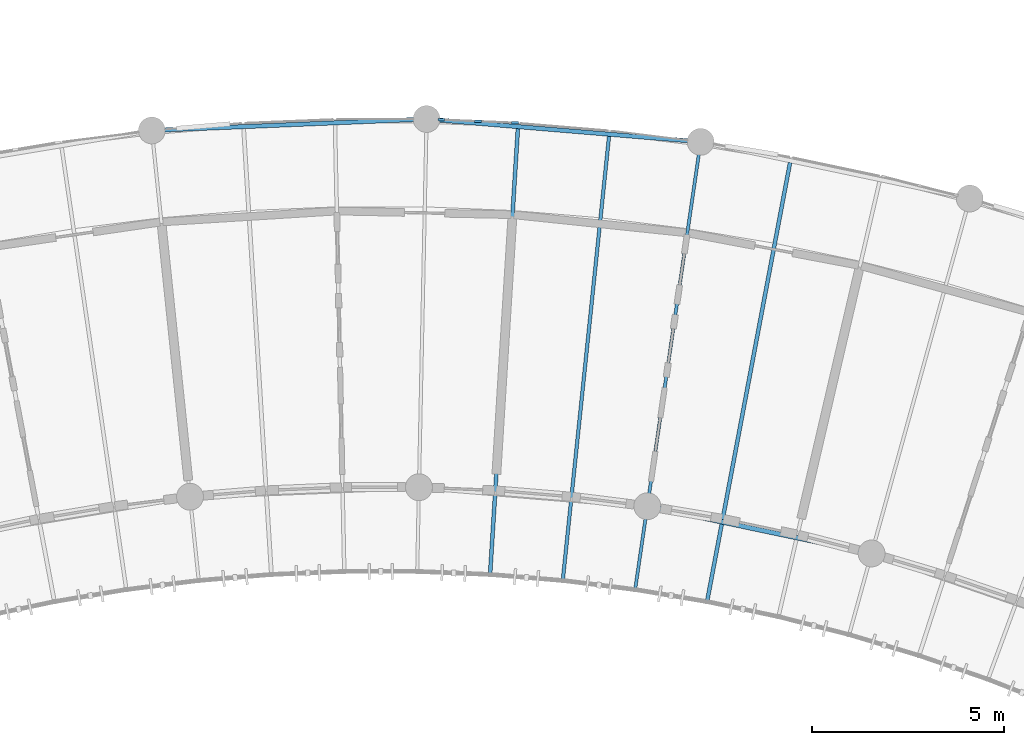
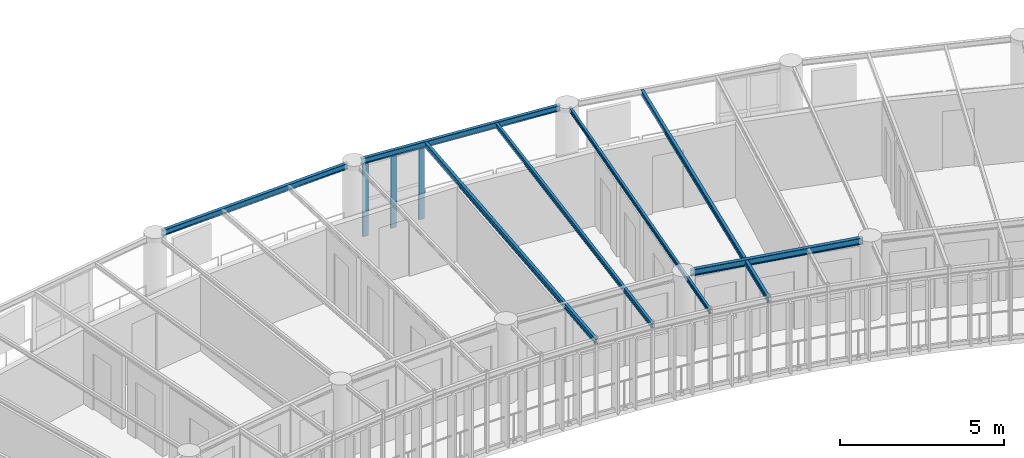
# One storey, part 34 of 100: 7 beams, 3 members, 1 element without a shape of its own.
"""IFC4 building model written with IfcOpenShell, lengths in metres."""

from ifc_helpers import new_model, si_unit, direction, frame, origin, origin_2d, place, context, subcontext, project, spatial, rectangle, i_section, extrude, material, layer, layer_set, material_profile, profile_set, type_object, element, aggregate, save


model = new_model("IFC4")

# Units and contexts
model_context = context("Model", 3, precision=1e-05, world=origin(), true_north=direction((0.0, 1.0)))
body_context = subcontext(model_context, "Body", "Model", "MODEL_VIEW")
ifc_project = project(units=[si_unit("LENGTHUNIT", "METRE"), si_unit("AREAUNIT", "SQUARE_METRE"), si_unit("VOLUMEUNIT", "CUBIC_METRE"), si_unit("PLANEANGLEUNIT", "RADIAN"), si_unit("MASSUNIT", "GRAM", prefix="KILO"), si_unit("POWERUNIT", "WATT"), si_unit("THERMODYNAMICTEMPERATUREUNIT", "KELVIN")], contexts=[model_context])

# Site, building, storey
site_placement = place(None, origin())
site = spatial("IfcSite", under=ifc_project, at=site_placement, CompositionType="ELEMENT")
building_placement = place(site_placement, origin())
building = spatial("IfcBuilding", under=site, at=building_placement, Name="Ruvembo Vaulted Housing Court", CompositionType="ELEMENT")
storey_placement = place(building_placement, frame((0.0, 0.0, 10.89990234375)))
storey = spatial("IfcBuildingStorey", under=building, at=storey_placement, Name="L03", CompositionType="ELEMENT", Elevation=10.89990234375)

# Beams
ifc_material_1 = material(Name="Steel S355J2", Category="steel")
ifc_material_profile_1 = material_profile(ifc_material_1, i_section(OverallWidth=0.08203125, OverallDepth=0.159912109375, WebThickness=0.0048828125, FlangeThickness=0.00732421875, FilletRadius=0.009033203125, at=origin_2d()), Name="IPE 160")
ifc_profile_set_1 = profile_set([ifc_material_profile_1], Name="Steel S355J2")
beam_type_1 = type_object("IfcBeamType", Name="BM-ST-IPE160", PredefinedType="JOIST", material=ifc_profile_set_1)
beam_1_placement = place(storey_placement, frame((125.305908203125, 106.765625, 2.860107421875), z_axis=(-0.144779596982, -0.989463929761, 0.0), x_axis=(0.989463929761, -0.144779596982, 0.0)))
element("IfcBeam", 1, at=beam_1_placement, inside=storey, type_object=beam_type_1, Name="Scoop SC3 L03 Radial Steel Joist 18", PredefinedType="JOIST", context=body_context, shape_type="SweptSolid", body=[
    extrude(i_section(OverallWidth=0.08203125, OverallDepth=0.159912109375, WebThickness=0.0048828125, FlangeThickness=0.00732421875, FilletRadius=0.009033203125, at=origin_2d()), origin(), (0.0, 0.0, 1.0), 11.610107421875),
])
ifc_material_profile_2 = material_profile(ifc_material_1, i_section(OverallWidth=0.091064453125, OverallDepth=0.179931640625, WebThickness=0.00537109375, FlangeThickness=0.008056640625, FilletRadius=0.009033203125, at=origin_2d()), Name="IPE 180")
ifc_profile_set_2 = profile_set([ifc_material_profile_2], Name="Steel S355J2")
beam_type_2 = type_object("IfcBeamType", Name="BM-ST-IPE180", PredefinedType="JOIST", material=ifc_profile_set_2)
beam_2_placement = place(storey_placement, frame((122.951416015625, 107.1416015625, 2.85009765625), z_axis=(-0.103603071439, -0.994618722722, 0.0), x_axis=(0.994618722722, -0.103603071439, 0.0)))
element("IfcBeam", 2, at=beam_2_placement, inside=storey, type_object=beam_type_2, Name="Scoop SC3 L03 Radial Steel Joist 17", PredefinedType="JOIST", context=body_context, shape_type="SweptSolid", body=[
    extrude(i_section(OverallWidth=0.091064453125, OverallDepth=0.179931640625, WebThickness=0.00537109375, FlangeThickness=0.008056640625, FilletRadius=0.009033203125, at=origin_2d()), origin(), (0.0, 0.0, 1.0), 11.690673828125),
])
ifc_material_profile_3 = material_profile(ifc_material_1, i_section(OverallWidth=0.10009765625, OverallDepth=0.199951171875, WebThickness=0.005615234375, FlangeThickness=0.008544921875, FilletRadius=0.011962890625, at=origin_2d()), Name="IPE 200")
ifc_profile_set_3 = profile_set([ifc_material_profile_3], Name="Steel S355J2")
beam_type_3 = type_object("IfcBeamType", Name="BM-ST-IPE200", PredefinedType="BEAM", material=ifc_profile_set_3)
for number, where, z_axis, x_axis, name in (
    (3, (120.574951171875, 107.33935546875, 2.840087890625), (-0.062232670177, -0.998061668817, 0.0), (0.998061668817, -0.062232670177, 0.0), "Scoop SC3 L03 Radial Steel Joist 16"),
    (4, (127.66943359375, 106.451416015625, 2.840087890625), (-0.185715658809, -0.982603528425, 0.0), (0.982603528425, -0.185715658809, 0.0), "Scoop SC3 L03 Radial Steel Joist 19"),
):
    element("IfcBeam", number, at=place(storey_placement, frame(where, z_axis=z_axis, x_axis=x_axis)), inside=storey, type_object=beam_type_3, Name=name, PredefinedType="BEAM", context=body_context, shape_type="SweptSolid", body=[
        extrude(i_section(OverallWidth=0.10009765625, OverallDepth=0.199951171875, WebThickness=0.005615234375, FlangeThickness=0.008544921875, FilletRadius=0.011962890625, at=origin_2d()), origin(), (0.0, 0.0, 1.0), 11.690673828125),
    ])
ifc_material_profile_4 = material_profile(ifc_material_1, i_section(OverallWidth=0.110107421875, OverallDepth=0.219970703125, WebThickness=0.005859375, FlangeThickness=0.00927734375, FilletRadius=0.011962890625, at=origin_2d()), Name="IPE 220")
ifc_profile_set_4 = profile_set([ifc_material_profile_4], Name="Steel S355J2")
beam_type_4 = type_object("IfcBeamType", Name="BM-ST-IPE220", PredefinedType="SPANDREL", material=ifc_profile_set_4)
for number, where, z_axis, x_axis, name in (
    (5, (111.262939453125, 107.299560546875, 2.83203125), (0.999137482587, 0.04152458176, 0.0), (-0.04152458176, 0.999137482587, 0.0), "Scoop SC3 L03 Chord Girder B12"),
    (6, (118.424560546875, 107.568603515625, 2.83203125), (0.996554537231, -0.082940064651, 0.0), (0.082940064651, 0.996554537231, 0.0), "Scoop SC3 L03 Chord Girder B15"),
):
    element("IfcBeam", number, at=place(storey_placement, frame(where, z_axis=z_axis, x_axis=x_axis)), inside=storey, type_object=beam_type_4, Name=name, PredefinedType="SPANDREL", context=body_context, shape_type="SweptSolid", body=[
        extrude(i_section(OverallWidth=0.110107421875, OverallDepth=0.219970703125, WebThickness=0.005859375, FlangeThickness=0.00927734375, FilletRadius=0.011962890625, at=origin_2d()), origin(), (0.0, 0.0, 1.0), 6.70849609375),
    ])
ifc_material_profile_5 = material_profile(ifc_material_1, i_section(OverallWidth=0.1201171875, OverallDepth=0.239990234375, WebThickness=0.006103515625, FlangeThickness=0.009765625, FilletRadius=0.014892578125, at=origin_2d()), Name="IPE 240")
ifc_profile_set_5 = profile_set([ifc_material_profile_5], Name="Steel S355J2")
beam_type_5 = type_object("IfcBeamType", Name="BM-ST-IPE240", PredefinedType="BEAM", material=ifc_profile_set_5)
beam_3_placement = place(storey_placement, frame((124.17431640625, 97.447021484375, 2.822021484375), z_axis=(0.978535688383, -0.206077428559, 0.0), x_axis=(0.206077428559, 0.978535688383, 0.0)))
element("IfcBeam", 7, at=beam_3_placement, inside=storey, type_object=beam_type_5, Name="Scoop SC3 L03 Chord Girder F18", PredefinedType="BEAM", context=body_context, shape_type="SweptSolid", body=[
    extrude(i_section(OverallWidth=0.1201171875, OverallDepth=0.239990234375, WebThickness=0.006103515625, FlangeThickness=0.009765625, FilletRadius=0.014892578125, at=origin_2d()), origin(), (0.0, 0.0, 1.0), 5.513671875),
])

# Curtain wall, members
ifc_material_2 = material(Name="Anodised Aluminium and Solar-Control Glass", Category="aluminium")
ifc_layer = layer(ifc_material_2, 0.1201171875, Name="Anodised Aluminium and Solar-Control Glass")
ifc_layer_set = layer_set([ifc_layer], Name="Anodised Aluminium and Solar-Control Glass")
curtain_wall_type = type_object("IfcCurtainWallType", Name="CW-SCOOP-GAL", PredefinedType="NOTDEFINED", material=ifc_layer_set)
curtain_wall_placement = place(storey_placement, origin())
curtain_wall = element("IfcCurtainWall", 8, at=curtain_wall_placement, inside=storey, type_object=curtain_wall_type, Name="L03 Curtain Wall CW-L03-0074", PredefinedType="NOTDEFINED")
ifc_material_3 = material(Name="Anodised Aluminium 6063-T6", Category="aluminium")
ifc_material_profile_6 = material_profile(ifc_material_3, rectangle(XDim=0.06494140625, YDim=0.179931640625, at=origin_2d()), Name="ALU 65x180")
ifc_profile_set_6 = profile_set([ifc_material_profile_6], Name="Anodised Aluminium 6063-T6")
member_type = type_object("IfcMemberType", Name="CW-MUL-65x180", PredefinedType="MULLION", material=ifc_profile_set_6)
member_1_placement = place(storey_placement, frame((118.57763671875, 107.57177734375, 0.0), z_axis=(0.0, 0.0, 1.0), x_axis=(0.041490559959, 0.999138895967, 0.0)))
member_1 = element("IfcMember", 9, at=member_1_placement, type_object=member_type, Name="CW6 mullion 1", PredefinedType="MULLION", context=body_context, shape_type="SweptSolid", body=[
    extrude(rectangle(XDim=0.06494140625, YDim=0.179931640625, at=origin_2d()), origin(), (0.0, 0.0, 1.0), 2.697998046875),
])
member_2_placement = place(storey_placement, frame((119.53955078125, 107.53173828125, 0.0), z_axis=(0.0, 0.0, 1.0), x_axis=(0.041490559959, 0.999138895967, 0.0)))
member_2 = element("IfcMember", 10, at=member_2_placement, type_object=member_type, Name="CW6 mullion 2", PredefinedType="MULLION", context=body_context, shape_type="SweptSolid", body=[
    extrude(rectangle(XDim=0.06494140625, YDim=0.179931640625, at=origin_2d()), origin(), (0.0, 0.0, 1.0), 2.697998046875),
])
member_3_placement = place(storey_placement, frame((120.501708984375, 107.491943359375, 0.0), z_axis=(0.0, 0.0, 1.0), x_axis=(0.041490559959, 0.999138895967, 0.0)))
member_3 = element("IfcMember", 11, at=member_3_placement, type_object=member_type, Name="CW6 mullion 3", PredefinedType="MULLION", context=body_context, shape_type="SweptSolid", body=[
    extrude(rectangle(XDim=0.06494140625, YDim=0.179931640625, at=origin_2d()), origin(), (0.0, 0.0, 1.0), 2.697998046875),
])
aggregate(curtain_wall, [member_1, member_2, member_3])

save(model, "model.ifc")
